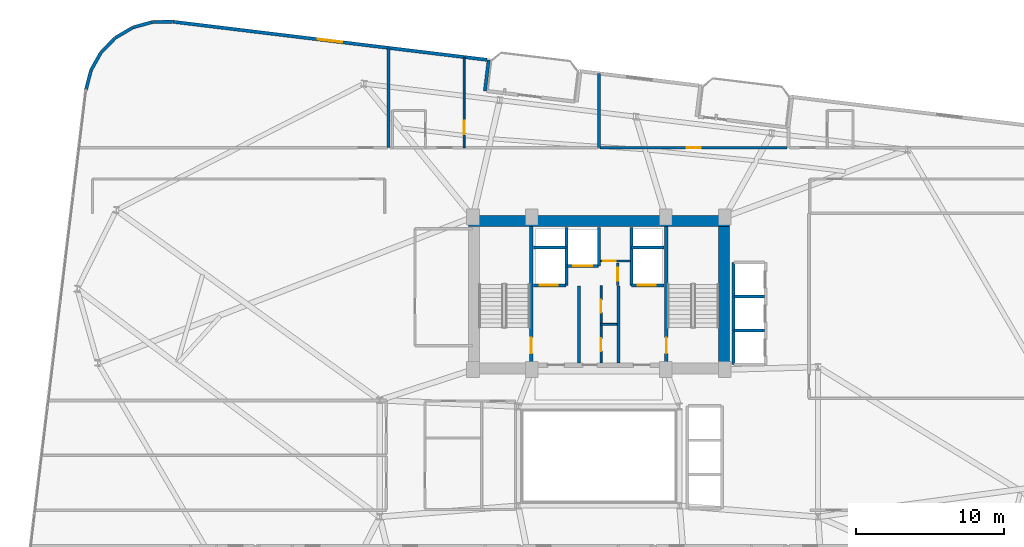
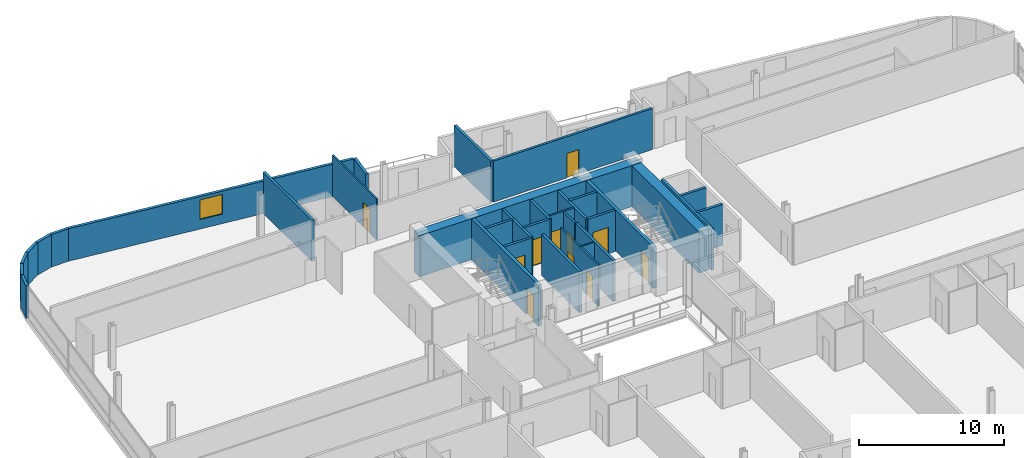
# One storey, part 22 of 26: 33 walls, 11 doors, 1 window, 12 openings.
"""IFC4 building model written with IfcOpenShell, lengths in metres."""

from ifc_helpers import new_model, si_unit, direction, frame, frame_2d, origin, place, context, subcontext, project, spatial, rectangle, extrude, material, layer, layer_set, type_object, element, fill, save


model = new_model("IFC4")

# Units and contexts
model_context = context("Model", 3, precision=1e-05, world=origin(), true_north=direction((0.0, 1.0)))
body_context = subcontext(model_context, "Body", "Model", "MODEL_VIEW")
ifc_project = project(units=[si_unit("LENGTHUNIT", "METRE"), si_unit("AREAUNIT", "SQUARE_METRE"), si_unit("VOLUMEUNIT", "CUBIC_METRE"), si_unit("PLANEANGLEUNIT", "RADIAN"), si_unit("MASSUNIT", "GRAM", prefix="KILO")], contexts=[model_context])

# Site, building, storey
site_placement = place(None, origin())
site = spatial("IfcSite", under=ifc_project, at=site_placement, CompositionType="ELEMENT")
building_placement = place(site_placement, origin())
building = spatial("IfcBuilding", under=site, at=building_placement, Name="Varnelok Gate Tower", CompositionType="ELEMENT")
storey_placement = place(building_placement, frame((0.0, 0.0, 151.300048828125)))
storey = spatial("IfcBuildingStorey", under=building, at=storey_placement, Name="L38", CompositionType="ELEMENT", Elevation=151.300048828125)

# Wall
ifc_material_1 = material(Name="Concrete C45/55", Category="concrete")
ifc_layer_1 = layer(ifc_material_1, 0.219970703125)
ifc_layer_set_1 = layer_set([ifc_layer_1], Name="Concrete C45/55")
wall_type_1 = type_object("IfcWallType", Name="EW-BALC-220", PredefinedType="SOLIDWALL", material=ifc_layer_set_1)
wall_1_placement = place(storey_placement, frame((31.50390625, 47.568115234375, 0.0), z_axis=(0.0, 0.0, 1.0), x_axis=(0.120341784665, 0.992732519294, 0.0)))
element("IfcWall", 1, at=wall_1_placement, inside=storey, type_object=wall_type_1, Name="L38 Perimeter Facade Closure Wall 31", PredefinedType="SOLIDWALL", context=body_context, shape_type="SweptSolid", body=[
    extrude(rectangle(XDim=2.099853515625, YDim=0.219970703125, at=frame_2d((1.0498046875, 0.0))), origin(), (0.0, 0.0, 1.0), 2.72998046875),
])

# Wall, opening, window
wall_2_placement = place(storey_placement, frame((31.632568359375, 49.667724609375, 0.0), z_axis=(0.0, 0.0, 1.0), x_axis=(-0.992731670483, 0.120348786531, 0.0)))
wall_2 = element("IfcWall", 2, at=wall_2_placement, inside=storey, type_object=wall_type_1, Name="L38 Perimeter Facade Closure Wall 32", PredefinedType="SOLIDWALL", context=body_context, shape_type="SweptSolid", body=[
    extrude(rectangle(XDim=21.34716796875, YDim=0.219970703125, at=frame_2d((10.673583984375, 0.0))), origin(), (0.0, 0.0, 1.0), 2.72998046875),
])
opening_1_placement = place(wall_2_placement, frame((9.8486328125, 0.0, 0.800048828125)))
opening_1 = element("IfcOpeningElement", 3, at=opening_1_placement, cuts=wall_2, Name="Opening WN3", PredefinedType="OPENING", context=body_context, shape_type="SweptSolid", body=[
    extrude(rectangle(XDim=1.64990234375, YDim=1.64990234375, at=frame_2d((0.824951171875, 0.824951171875))), frame((0.0, 0.119873046875, 0.0), z_axis=(0.0, -1.0, 0.0), x_axis=(1.0, 0.0, 0.0)), (0.0, 0.0, 1.0), 0.239990234375),
])
ifc_material_2 = material(Name="Low-E Laminated Double Glazing IGU", Category="glass")
window_type = type_object("IfcWindowType", Name="WN-HTL-1650", PartitioningType="SINGLE_PANEL", PredefinedType="WINDOW", material=ifc_material_2)
window_placement = place(opening_1_placement, origin())
window = element("IfcWindow", 4, at=window_placement, inside=storey, type_object=window_type, Name="L38 Perimeter Vision Window 32", OverallHeight=1.64990234375, OverallWidth=1.64990234375, PartitioningType="SINGLE_PANEL", PredefinedType="WINDOW", context=body_context, shape_type="SweptSolid", body=[
    extrude(rectangle(XDim=1.64990234375, YDim=1.64990234375, at=frame_2d((0.824951171875, 0.824951171875))), frame((0.0, 0.030029296875, 0.0), z_axis=(0.0, -1.0, 0.0), x_axis=(1.0, 0.0, 0.0)), (0.0, 0.0, 1.0), 0.06005859375),
])
fill(opening_1, window)

# Walls
wall_3_placement = place(storey_placement, frame((10.41552734375, 52.236572265625, 0.0), z_axis=(0.0, 0.0, 1.0), x_axis=(-0.999947718056, -0.010225514878, 0.0)))
element("IfcWall", 5, at=wall_3_placement, inside=storey, type_object=wall_type_1, Name="L38 Perimeter Facade Closure Wall 33", PredefinedType="SOLIDWALL", context=body_context, shape_type="SweptSolid", body=[
    extrude(rectangle(XDim=1.36083984375, YDim=0.219970703125, at=frame_2d((0.680419921875, 0.0))), origin(), (0.0, 0.0, 1.0), 2.72998046875),
])
for number, where, z_axis, x_axis, name in (
    (6, (9.030517578125, 52.2158203125, 0.0), (0.0, 0.0, 1.0), (-0.963227802828, -0.268686061898, 0.0), "L38 Perimeter Facade Closure Wall 34"),
    (7, (7.70556640625, 51.839599609375, 0.0), (0.0, 0.0, 1.0), (-0.860739665837, -0.509045408244, 0.0), "L38 Perimeter Facade Closure Wall 35"),
):
    element("IfcWall", number, at=place(storey_placement, frame(where, z_axis=z_axis, x_axis=x_axis)), inside=storey, type_object=wall_type_1, Name=name, PredefinedType="SOLIDWALL", context=body_context, shape_type="SweptSolid", body=[
        extrude(rectangle(XDim=1.35302734375, YDim=0.219970703125, at=frame_2d((0.676513671875, 0.0))), origin(), (0.0, 0.0, 1.0), 2.72998046875),
    ])
wall_4_placement = place(storey_placement, frame((6.5234375, 51.13330078125, 0.0), z_axis=(0.0, 0.0, 1.0), x_axis=(-0.699762925925, -0.714375144795, 0.0)))
element("IfcWall", 8, at=wall_4_placement, inside=storey, type_object=wall_type_1, Name="L38 Perimeter Facade Closure Wall 36", PredefinedType="SOLIDWALL", context=body_context, shape_type="SweptSolid", body=[
    extrude(rectangle(XDim=1.353271484375, YDim=0.219970703125, at=frame_2d((0.6767578125, 0.0))), origin(), (0.0, 0.0, 1.0), 2.72998046875),
])
wall_5_placement = place(storey_placement, frame((5.564208984375, 50.144775390625, 0.0), z_axis=(0.0, 0.0, 1.0), x_axis=(-0.491117621399, -0.871093268227, 0.0)))
element("IfcWall", 9, at=wall_5_placement, inside=storey, type_object=wall_type_1, Name="L38 Perimeter Facade Closure Wall 37", PredefinedType="SOLIDWALL", context=body_context, shape_type="SweptSolid", body=[
    extrude(rectangle(XDim=1.35302734375, YDim=0.219970703125, at=frame_2d((0.676513671875, 0.0))), origin(), (0.0, 0.0, 1.0), 2.72998046875),
])
wall_6_placement = place(storey_placement, frame((4.8935546875, 48.94189453125, 0.0), z_axis=(0.0, 0.0, 1.0), x_axis=(-0.248857256909, -0.968540172468, 0.0)))
element("IfcWall", 10, at=wall_6_placement, inside=storey, type_object=wall_type_1, Name="L38 Perimeter Facade Closure Wall 38", PredefinedType="SOLIDWALL", context=body_context, shape_type="SweptSolid", body=[
    extrude(rectangle(XDim=1.352783203125, YDim=0.219970703125, at=frame_2d((0.67626953125, 0.0))), origin(), (0.0, 0.0, 1.0), 2.72998046875),
])

# Wall, opening, door
ifc_material_3 = material(Name="Gypsum Plasterboard Acoustic Partition", Category="gypsum")
ifc_layer_2 = layer(ifc_material_3, 0.179931640625)
ifc_layer_set_2 = layer_set([ifc_layer_2], Name="Gypsum Plasterboard Acoustic Partition")
wall_type_2 = type_object("IfcWallType", Name="PW-CORR-180", PredefinedType="PARTITIONING", material=ifc_layer_set_2)
wall_7_placement = place(storey_placement, frame((39.280029296875, 43.72998046875, 0.0), z_axis=(0.0, 0.0, 1.0), x_axis=(1.0, 0.0, 0.0)))
wall_7 = element("IfcWall", 11, at=wall_7_placement, inside=storey, type_object=wall_type_2, Name="Interior Partition", PredefinedType="PARTITIONING", context=body_context, shape_type="SweptSolid", body=[
    extrude(rectangle(XDim=12.639892578125, YDim=0.179931640625, at=frame_2d((6.31982421875, 0.0))), origin(), (0.0, 0.0, 1.0), 3.449951171875),
])
opening_2_placement = place(wall_7_placement, frame((5.844970703125, 0.0, 0.0)))
opening_2 = element("IfcOpeningElement", 12, at=opening_2_placement, cuts=wall_7, Name="Opening D-I2", PredefinedType="OPENING", context=body_context, shape_type="SweptSolid", body=[
    extrude(rectangle(XDim=0.949951171875, YDim=2.050048828125, at=frame_2d((0.47509765625, 1.02490234375))), frame((0.0, 0.099853515625, 0.0), z_axis=(0.0, -1.0, 0.0), x_axis=(1.0, 0.0, 0.0)), (0.0, 0.0, 1.0), 0.199951171875),
])
ifc_material_4 = material(Name="Engineered Hardwood Timber", Category="wood")
door_type_1 = type_object("IfcDoorType", Name="DR-INT-950", OperationType="NOTDEFINED", PredefinedType="DOOR", material=ifc_material_4)
door_1_placement = place(opening_2_placement, origin())
door_1 = element("IfcDoor", 13, at=door_1_placement, inside=storey, type_object=door_type_1, Name="L38 Sky Library Door", OperationType="SINGLE_SWING_LEFT", OverallHeight=2.050048828125, OverallWidth=0.949951171875, PredefinedType="DOOR", context=body_context, shape_type="SweptSolid", body=[
    extrude(rectangle(XDim=0.949951171875, YDim=2.050048828125, at=frame_2d((0.47509765625, 1.02490234375))), frame((0.0, 0.02490234375, 0.0), z_axis=(0.0, -1.0, 0.0), x_axis=(1.0, 0.0, 0.0)), (0.0, 0.0, 1.0), 0.050048828125),
])
fill(opening_2, door_1)

ifc_layer_3 = layer(ifc_material_3, 0.125)
ifc_layer_set_3 = layer_set([ifc_layer_3], Name="Gypsum Plasterboard Acoustic Partition")
wall_type_3 = type_object("IfcWallType", Name="PW-PART-125", PredefinedType="PARTITIONING", material=ifc_layer_set_3)
wall_8_placement = place(storey_placement, frame((30.10009765625, 43.72998046875, 0.0), z_axis=(0.0, 0.0, 1.0), x_axis=(0.0, 1.0, 0.0)))
wall_8 = element("IfcWall", 14, at=wall_8_placement, inside=storey, type_object=wall_type_3, Name="Interior Partition", PredefinedType="PARTITIONING", context=body_context, shape_type="SweptSolid", body=[
    extrude(rectangle(XDim=6.103515625, YDim=0.125, at=frame_2d((3.0517578125, 0.0))), origin(), (0.0, 0.0, 1.0), 3.449951171875),
])
opening_3_placement = place(wall_8_placement, frame((0.89453125, 0.0, 0.0)))
opening_3 = element("IfcOpeningElement", 15, at=opening_3_placement, cuts=wall_8, Name="Opening D-I3", PredefinedType="OPENING", context=body_context, shape_type="SweptSolid", body=[
    extrude(rectangle(XDim=0.919921875, YDim=2.050048828125, at=frame_2d((0.4599609375, 1.02490234375))), frame((0.0, 0.072509765625, 0.0), z_axis=(0.0, -1.0, 0.0), x_axis=(1.0, 0.0, 0.0)), (0.0, 0.0, 1.0), 0.14501953125),
])
door_type_2 = type_object("IfcDoorType", Name="DR-INT-920", OperationType="NOTDEFINED", PredefinedType="DOOR", material=ifc_material_4)
door_2_placement = place(opening_3_placement, origin())
door_2 = element("IfcDoor", 16, at=door_2_placement, inside=storey, type_object=door_type_2, Name="L38 Suite Bedroom Door 9", OperationType="SINGLE_SWING_LEFT", OverallHeight=2.050048828125, OverallWidth=0.919921875, PredefinedType="DOOR", context=body_context, shape_type="SweptSolid", body=[
    extrude(rectangle(XDim=0.919921875, YDim=2.050048828125, at=frame_2d((0.4599609375, 1.02490234375))), frame((0.0, 0.02490234375, 0.0), z_axis=(0.0, -1.0, 0.0), x_axis=(1.0, 0.0, 0.0)), (0.0, 0.0, 1.0), 0.050048828125),
])
fill(opening_3, door_2)

# Wall
wall_9_placement = place(storey_placement, frame((39.35009765625, 31.800048828125, 0.0), z_axis=(0.0, 0.0, 1.0), x_axis=(1.0, 0.0, 0.0)))
element("IfcWall", 17, at=wall_9_placement, inside=storey, type_object=wall_type_3, Name="Interior Partition", PredefinedType="PARTITIONING", context=body_context, shape_type="SweptSolid", body=[
    extrude(rectangle(XDim=1.08984375, YDim=0.125, at=frame_2d((0.544921875, 0.0))), origin(), (0.0, 0.0, 1.0), 3.449951171875),
])

# Wall, openings, doors
wall_10_placement = place(storey_placement, frame((39.35009765625, 29.199951171875, 0.0), z_axis=(0.0, 0.0, 1.0), x_axis=(0.0, 1.0, 0.0)))
wall_10 = element("IfcWall", 18, at=wall_10_placement, inside=storey, type_object=wall_type_3, Name="Interior Partition", PredefinedType="PARTITIONING", context=body_context, shape_type="SweptSolid", body=[
    extrude(rectangle(XDim=5.219970703125, YDim=0.125, at=frame_2d((2.60986328125, 0.0))), origin(), (0.0, 0.0, 1.0), 3.449951171875),
])
opening_4_placement = place(wall_10_placement, frame((0.800048828125, 0.0, 0.0)))
opening_4 = element("IfcOpeningElement", 19, at=opening_4_placement, cuts=wall_10, Name="Opening D-RS", PredefinedType="OPENING", context=body_context, shape_type="SweptSolid", body=[
    extrude(rectangle(XDim=0.85009765625, YDim=2.050048828125, at=frame_2d((0.425048828125, 1.02490234375))), frame((0.0, 0.072509765625, 0.0), z_axis=(0.0, -1.0, 0.0), x_axis=(1.0, 0.0, 0.0)), (0.0, 0.0, 1.0), 0.14501953125),
])
opening_5_placement = place(wall_10_placement, frame((3.39990234375, 0.0, 0.0)))
opening_5 = element("IfcOpeningElement", 20, at=opening_5_placement, cuts=wall_10, Name="Opening D-RS", PredefinedType="OPENING", context=body_context, shape_type="SweptSolid", body=[
    extrude(rectangle(XDim=0.85009765625, YDim=2.050048828125, at=frame_2d((0.425048828125, 1.02490234375))), frame((0.0, 0.072509765625, 0.0), z_axis=(0.0, -1.0, 0.0), x_axis=(1.0, 0.0, 0.0)), (0.0, 0.0, 1.0), 0.14501953125),
])
ifc_material_5 = material(Name="Galvanized Steel Grade S350GD", Category="steel")
door_type_3 = type_object("IfcDoorType", Name="DR-RISER-850", OperationType="NOTDEFINED", PredefinedType="DOOR", material=ifc_material_5)
door_3_placement = place(opening_4_placement, origin())
door_3 = element("IfcDoor", 21, at=door_3_placement, inside=storey, type_object=door_type_3, Name="L38 Housekeeping Linen Door", OperationType="SINGLE_SWING_RIGHT", OverallHeight=2.050048828125, OverallWidth=0.85009765625, PredefinedType="DOOR", context=body_context, shape_type="SweptSolid", body=[
    extrude(rectangle(XDim=0.85009765625, YDim=2.050048828125, at=frame_2d((0.425048828125, 1.02490234375))), frame((0.0, 0.02490234375, 0.0), z_axis=(0.0, -1.0, 0.0), x_axis=(1.0, 0.0, 0.0)), (0.0, 0.0, 1.0), 0.050048828125),
])
fill(opening_4, door_3)
door_4_placement = place(opening_5_placement, origin())
door_4 = element("IfcDoor", 22, at=door_4_placement, inside=storey, type_object=door_type_3, Name="L38 Core Supply Door", OperationType="SINGLE_SWING_LEFT", OverallHeight=2.050048828125, OverallWidth=0.85009765625, PredefinedType="DOOR", context=body_context, shape_type="SweptSolid", body=[
    extrude(rectangle(XDim=0.85009765625, YDim=2.050048828125, at=frame_2d((0.425048828125, 1.02490234375))), frame((0.0, 0.02490234375, 0.0), z_axis=(0.0, -1.0, 0.0), x_axis=(1.0, 0.0, 0.0)), (0.0, 0.0, 1.0), 0.050048828125),
])
fill(opening_5, door_4)

# Wall, opening, door
ifc_layer_4 = layer(ifc_material_3, 0.14990234375)
ifc_layer_set_4 = layer_set([ifc_layer_4], Name="Gypsum Plasterboard Acoustic Partition")
wall_type_4 = type_object("IfcWallType", Name="PW-PART-150", PredefinedType="PARTITIONING", material=ifc_layer_set_4)
wall_11_placement = place(storey_placement, frame((39.300048828125, 36.080078125, 0.0), z_axis=(0.0, 0.0, 1.0), x_axis=(1.0, 0.0, 0.0)))
wall_11 = element("IfcWall", 23, at=wall_11_placement, inside=storey, type_object=wall_type_4, Name="L38 Electrical Closet South Wall", PredefinedType="PARTITIONING", context=body_context, shape_type="SweptSolid", body=[
    extrude(rectangle(XDim=2.02001953125, YDim=0.14990234375, at=frame_2d((1.010009765625, 0.0))), origin(), (0.0, 0.0, 1.0), 3.449951171875),
])
opening_6_placement = place(wall_11_placement, frame((0.179931640625, 0.0, 0.0)))
opening_6 = element("IfcOpeningElement", 24, at=opening_6_placement, cuts=wall_11, Name="Opening D-RS", PredefinedType="OPENING", context=body_context, shape_type="SweptSolid", body=[
    extrude(rectangle(XDim=0.85009765625, YDim=2.050048828125, at=frame_2d((0.425048828125, 1.02490234375))), frame((0.0, 0.0849609375, 0.0), z_axis=(0.0, -1.0, 0.0), x_axis=(1.0, 0.0, 0.0)), (0.0, 0.0, 1.0), 0.169921875),
])
door_5_placement = place(opening_6_placement, origin())
door_5 = element("IfcDoor", 25, at=door_5_placement, inside=storey, type_object=door_type_3, Name="L38 Electrical Closet Door", OperationType="SINGLE_SWING_RIGHT", OverallHeight=2.050048828125, OverallWidth=0.85009765625, PredefinedType="DOOR", context=body_context, shape_type="SweptSolid", body=[
    extrude(rectangle(XDim=0.85009765625, YDim=2.050048828125, at=frame_2d((0.425048828125, 1.02490234375))), frame((0.0, 0.02490234375, 0.0), z_axis=(0.0, -1.0, 0.0), x_axis=(1.0, 0.0, 0.0)), (0.0, 0.0, 1.0), 0.050048828125),
])
fill(opening_6, door_5)

wall_12_placement = place(storey_placement, frame((40.47998046875, 34.43994140625, 0.0), z_axis=(0.0, 0.0, 1.0), x_axis=(0.0, 1.0, 0.0)))
wall_12 = element("IfcWall", 26, at=wall_12_placement, inside=storey, type_object=wall_type_4, Name="L38 Telecoms Closet West Wall", PredefinedType="PARTITIONING", context=body_context, shape_type="SweptSolid", body=[
    extrude(rectangle(XDim=1.52001953125, YDim=0.14990234375, at=frame_2d((0.760009765625, 0.0))), origin(), (0.0, 0.0, 1.0), 3.449951171875),
])
opening_7_placement = place(wall_12_placement, frame((0.320068359375, 0.0, 0.0)))
opening_7 = element("IfcOpeningElement", 27, at=opening_7_placement, cuts=wall_12, Name="Opening D-RS", PredefinedType="OPENING", context=body_context, shape_type="SweptSolid", body=[
    extrude(rectangle(XDim=0.85009765625, YDim=2.050048828125, at=frame_2d((0.425048828125, 1.02490234375))), frame((0.0, 0.0849609375, 0.0), z_axis=(0.0, -1.0, 0.0), x_axis=(1.0, 0.0, 0.0)), (0.0, 0.0, 1.0), 0.169921875),
])
door_6_placement = place(opening_7_placement, origin())
door_6 = element("IfcDoor", 28, at=door_6_placement, inside=storey, type_object=door_type_3, Name="L38 Telecoms Closet Door", OperationType="SINGLE_SWING_LEFT", OverallHeight=2.050048828125, OverallWidth=0.85009765625, PredefinedType="DOOR", context=body_context, shape_type="SweptSolid", body=[
    extrude(rectangle(XDim=0.85009765625, YDim=2.050048828125, at=frame_2d((0.425048828125, 1.02490234375))), frame((0.0, 0.02490234375, 0.0), z_axis=(0.0, -1.0, 0.0), x_axis=(1.0, 0.0, 0.0)), (0.0, 0.0, 1.0), 0.050048828125),
])
fill(opening_7, door_6)

# Walls
ifc_layer_5 = layer(ifc_material_3, 0.205078125)
ifc_layer_set_5 = layer_set([ifc_layer_5], Name="Gypsum Plasterboard Acoustic Partition")
wall_type_5 = type_object("IfcWallType", Name="PW-PARTY-200", PredefinedType="PARTITIONING", material=ifc_layer_set_5)
wall_13_placement = place(storey_placement, frame((25.0, 43.72998046875, 0.0), z_axis=(0.0, 0.0, 1.0), x_axis=(0.0, 1.0, 0.0)))
element("IfcWall", 29, at=wall_13_placement, inside=storey, type_object=wall_type_5, Name="L38 North Party Wall 1", PredefinedType="PARTITIONING", context=body_context, shape_type="SweptSolid", body=[
    extrude(rectangle(XDim=6.7216796875, YDim=0.205078125, at=frame_2d((3.36083984375, 0.0))), origin(), (0.0, 0.0, 1.0), 3.449951171875),
])
wall_14_placement = place(storey_placement, frame((39.199951171875, 43.72998046875, 0.0), z_axis=(0.0, 0.0, 1.0), x_axis=(0.0, 1.0, 0.0)))
element("IfcWall", 30, at=wall_14_placement, inside=storey, type_object=wall_type_5, Name="L38 North Party Wall 2", PredefinedType="PARTITIONING", context=body_context, shape_type="SweptSolid", body=[
    extrude(rectangle(XDim=5.000244140625, YDim=0.205078125, at=frame_2d((2.5, 0.0))), origin(), (0.0, 0.0, 1.0), 3.449951171875),
])
ifc_material_6 = material(Name="Concrete C35/45", Category="concrete")
ifc_layer_6 = layer(ifc_material_6, 0.199951171875)
ifc_layer_set_6 = layer_set([ifc_layer_6], Name="Concrete C35/45")
wall_type_6 = type_object("IfcWallType", Name="PW-SHAFT-200", PredefinedType="PARTITIONING", material=ifc_layer_set_6)
for number, where, z_axis, x_axis, name in (
    (31, (37.860107421875, 29.199951171875, 0.0), (0.0, 0.0, 1.0), (0.0, 1.0, 0.0), "L38 West FF Lobby Rated Wall"),
    (32, (40.5400390625, 29.199951171875, 0.0), (0.0, 0.0, 1.0), (0.0, 1.0, 0.0), "L38 East FF Lobby Rated Wall"),
):
    element("IfcWall", number, at=place(storey_placement, frame(where, z_axis=z_axis, x_axis=x_axis)), inside=storey, type_object=wall_type_6, Name=name, PredefinedType="PARTITIONING", context=body_context, shape_type="SweptSolid", body=[
        extrude(rectangle(XDim=5.179931640625, YDim=0.199951171875, at=frame_2d((2.58984375, 0.0))), origin(), (0.0, 0.0, 1.0), 3.449951171875),
    ])

# Wall, opening, door
wall_15_placement = place(storey_placement, frame((34.800048828125, 34.43994140625, 0.0), z_axis=(0.0, 0.0, 1.0), x_axis=(1.0, 0.0, 0.0)))
wall_15 = element("IfcWall", 33, at=wall_15_placement, inside=storey, type_object=wall_type_6, Name="L38 FF1 Shaft Front Wall", PredefinedType="PARTITIONING", context=body_context, shape_type="SweptSolid", body=[
    extrude(rectangle(XDim=2.179931640625, YDim=0.199951171875, at=frame_2d((1.08984375, 0.0))), origin(), (0.0, 0.0, 1.0), 3.449951171875),
])
opening_8_placement = place(wall_15_placement, frame((0.419921875, 0.0, 0.0)))
opening_8 = element("IfcOpeningElement", 34, at=opening_8_placement, cuts=wall_15, Name="Opening LD-FF1", PredefinedType="OPENING", context=body_context, shape_type="SweptSolid", body=[
    extrude(rectangle(XDim=1.199951171875, YDim=2.199951171875, at=frame_2d((0.60009765625, 1.10009765625))), frame((0.0, 0.10986328125, 0.0), z_axis=(0.0, -1.0, 0.0), x_axis=(1.0, 0.0, 0.0)), (0.0, 0.0, 1.0), 0.219970703125),
])
door_type_4 = type_object("IfcDoorType", Name="DR-LIFT-FF1200", OperationType="SLIDING_TO_LEFT", PredefinedType="DOOR", material=ifc_material_5)
door_7_placement = place(opening_8_placement, origin())
door_7 = element("IfcDoor", 35, at=door_7_placement, inside=storey, type_object=door_type_4, Name="L38 Firefighting Lift Landing Door LD-FF1", OperationType="SLIDING_TO_LEFT", OverallHeight=2.199951171875, OverallWidth=1.199951171875, PredefinedType="DOOR", context=body_context, shape_type="SweptSolid", body=[
    extrude(rectangle(XDim=1.199951171875, YDim=2.199951171875, at=frame_2d((0.60009765625, 1.10009765625))), frame((0.0, 0.02490234375, 0.0), z_axis=(0.0, -1.0, 0.0), x_axis=(1.0, 0.0, 0.0)), (0.0, 0.0, 1.0), 0.050048828125),
])
fill(opening_8, door_7)

# Walls
wall_16_placement = place(storey_placement, frame((34.800048828125, 36.97998046875, 0.0), z_axis=(0.0, 0.0, 1.0), x_axis=(1.0, 0.0, 0.0)))
element("IfcWall", 36, at=wall_16_placement, inside=storey, type_object=wall_type_6, Name="L38 FF1 Shaft North Wall", PredefinedType="PARTITIONING", context=body_context, shape_type="SweptSolid", body=[
    extrude(rectangle(XDim=2.179931640625, YDim=0.199951171875, at=frame_2d((1.08984375, 0.0))), origin(), (0.0, 0.0, 1.0), 3.449951171875),
])
wall_17_placement = place(storey_placement, frame((37.0, 34.43994140625, 0.0), z_axis=(0.0, 0.0, 1.0), x_axis=(0.0, 1.0, 0.0)))
element("IfcWall", 37, at=wall_17_placement, inside=storey, type_object=wall_type_6, Name="L38 FF1 Shaft Side Wall", PredefinedType="PARTITIONING", context=body_context, shape_type="SweptSolid", body=[
    extrude(rectangle(XDim=3.900146484375, YDim=0.199951171875, at=frame_2d((1.9501953125, 0.0))), origin(), (0.0, 0.0, 1.0), 3.449951171875),
])

# Wall, opening, door
wall_18_placement = place(storey_placement, frame((41.419921875, 34.43994140625, 0.0), z_axis=(0.0, 0.0, 1.0), x_axis=(1.0, 0.0, 0.0)))
wall_18 = element("IfcWall", 38, at=wall_18_placement, inside=storey, type_object=wall_type_6, Name="L38 FF2 Shaft Front Wall", PredefinedType="PARTITIONING", context=body_context, shape_type="SweptSolid", body=[
    extrude(rectangle(XDim=2.18017578125, YDim=0.199951171875, at=frame_2d((1.090087890625, 0.0))), origin(), (0.0, 0.0, 1.0), 3.449951171875),
])
opening_9_placement = place(wall_18_placement, frame((0.419921875, 0.0, 0.0)))
opening_9 = element("IfcOpeningElement", 39, at=opening_9_placement, cuts=wall_18, Name="Opening LD-FF2", PredefinedType="OPENING", context=body_context, shape_type="SweptSolid", body=[
    extrude(rectangle(XDim=1.199951171875, YDim=2.199951171875, at=frame_2d((0.60009765625, 1.10009765625))), frame((0.0, 0.10986328125, 0.0), z_axis=(0.0, -1.0, 0.0), x_axis=(1.0, 0.0, 0.0)), (0.0, 0.0, 1.0), 0.219970703125),
])
door_8_placement = place(opening_9_placement, origin())
door_8 = element("IfcDoor", 40, at=door_8_placement, inside=storey, type_object=door_type_4, Name="L38 Firefighting Lift Landing Door LD-FF2", OperationType="SLIDING_TO_LEFT", OverallHeight=2.199951171875, OverallWidth=1.199951171875, PredefinedType="DOOR", context=body_context, shape_type="SweptSolid", body=[
    extrude(rectangle(XDim=1.199951171875, YDim=2.199951171875, at=frame_2d((0.60009765625, 1.10009765625))), frame((0.0, 0.02490234375, 0.0), z_axis=(0.0, -1.0, 0.0), x_axis=(1.0, 0.0, 0.0)), (0.0, 0.0, 1.0), 0.050048828125),
])
fill(opening_9, door_8)

# Walls
wall_19_placement = place(storey_placement, frame((41.419921875, 36.97998046875, 0.0), z_axis=(0.0, 0.0, 1.0), x_axis=(1.0, 0.0, 0.0)))
element("IfcWall", 41, at=wall_19_placement, inside=storey, type_object=wall_type_6, Name="L38 FF2 Shaft North Wall", PredefinedType="PARTITIONING", context=body_context, shape_type="SweptSolid", body=[
    extrude(rectangle(XDim=2.18017578125, YDim=0.199951171875, at=frame_2d((1.090087890625, 0.0))), origin(), (0.0, 0.0, 1.0), 3.449951171875),
])
wall_20_placement = place(storey_placement, frame((41.39990234375, 34.43994140625, 0.0), z_axis=(0.0, 0.0, 1.0), x_axis=(0.0, 1.0, 0.0)))
element("IfcWall", 42, at=wall_20_placement, inside=storey, type_object=wall_type_6, Name="L38 FF2 Shaft Side Wall", PredefinedType="PARTITIONING", context=body_context, shape_type="SweptSolid", body=[
    extrude(rectangle(XDim=3.900146484375, YDim=0.199951171875, at=frame_2d((1.9501953125, 0.0))), origin(), (0.0, 0.0, 1.0), 3.449951171875),
])

# Wall, opening, door
wall_21_placement = place(storey_placement, frame((37.06005859375, 35.75, 0.0), z_axis=(0.0, 0.0, 1.0), x_axis=(1.0, 0.0, 0.0)))
wall_21 = element("IfcWall", 43, at=wall_21_placement, inside=storey, type_object=wall_type_6, Name="L38 SV1 Shaft Front Wall", PredefinedType="PARTITIONING", context=body_context, shape_type="SweptSolid", body=[
    extrude(rectangle(XDim=2.119873046875, YDim=0.199951171875, at=frame_2d((1.06005859375, 0.0))), origin(), (0.0, 0.0, 1.0), 3.449951171875),
])
opening_10_placement = place(wall_21_placement, frame((0.39990234375, 0.0, 0.0)))
opening_10 = element("IfcOpeningElement", 44, at=opening_10_placement, cuts=wall_21, Name="Opening LD-SV1", PredefinedType="OPENING", context=body_context, shape_type="SweptSolid", body=[
    extrude(rectangle(XDim=1.300048828125, YDim=2.199951171875, at=frame_2d((0.64990234375, 1.10009765625))), frame((0.0, 0.10986328125, 0.0), z_axis=(0.0, -1.0, 0.0), x_axis=(1.0, 0.0, 0.0)), (0.0, 0.0, 1.0), 0.219970703125),
])
door_type_5 = type_object("IfcDoorType", Name="DR-LIFT-SV1300", OperationType="SLIDING_TO_LEFT", PredefinedType="DOOR", material=ifc_material_5)
door_9_placement = place(opening_10_placement, origin())
door_9 = element("IfcDoor", 45, at=door_9_placement, inside=storey, type_object=door_type_5, Name="L38 Service Lift Landing Door LD-SV1", OperationType="SLIDING_TO_LEFT", OverallHeight=2.199951171875, OverallWidth=1.300048828125, PredefinedType="DOOR", context=body_context, shape_type="SweptSolid", body=[
    extrude(rectangle(XDim=1.300048828125, YDim=2.199951171875, at=frame_2d((0.64990234375, 1.10009765625))), frame((0.0, 0.02490234375, 0.0), z_axis=(0.0, -1.0, 0.0), x_axis=(1.0, 0.0, 0.0)), (0.0, 0.0, 1.0), 0.050048828125),
])
fill(opening_10, door_9)

# Walls
wall_22_placement = place(storey_placement, frame((39.219970703125, 35.75, 0.0), z_axis=(0.0, 0.0, 1.0), x_axis=(0.0, 1.0, 0.0)))
element("IfcWall", 46, at=wall_22_placement, inside=storey, type_object=wall_type_6, Name="L38 SV1 Shaft East Wall", PredefinedType="PARTITIONING", context=body_context, shape_type="SweptSolid", body=[
    extrude(rectangle(XDim=2.590087890625, YDim=0.199951171875, at=frame_2d((1.294921875, 0.0))), origin(), (0.0, 0.0, 1.0), 3.449951171875),
])
for number, where, z_axis, x_axis, name in (
    (47, (48.320068359375, 31.375, 0.0), (0.0, 0.0, 1.0), (1.0, 0.0, 0.0), "L38 PM1 Divider"),
    (48, (48.320068359375, 33.675048828125, 0.0), (0.0, 0.0, 1.0), (1.0, 0.0, 0.0), "L38 PM2 Divider"),
):
    element("IfcWall", number, at=place(storey_placement, frame(where, z_axis=z_axis, x_axis=x_axis)), inside=storey, type_object=wall_type_6, Name=name, PredefinedType="PARTITIONING", context=body_context, shape_type="SweptSolid", body=[
        extrude(rectangle(XDim=2.059814453125, YDim=0.199951171875, at=frame_2d((1.02978515625, 0.0))), origin(), (0.0, 0.0, 1.0), 3.449951171875),
    ])
wall_23_placement = place(storey_placement, frame((48.280029296875, 29.080078125, 0.0), z_axis=(0.0, 0.0, 1.0), x_axis=(0.0, 1.0, 0.0)))
element("IfcWall", 49, at=wall_23_placement, inside=storey, type_object=wall_type_6, Name="L38 PM Bank Back Wall", PredefinedType="PARTITIONING", context=body_context, shape_type="SweptSolid", body=[
    extrude(rectangle(XDim=6.889892578125, YDim=0.199951171875, at=frame_2d((3.44482421875, 0.0))), origin(), (0.0, 0.0, 1.0), 3.449951171875),
])
ifc_material_7 = material(Name="Concrete C70/85", Category="concrete")
ifc_layer_7 = layer(ifc_material_7, 0.75)
ifc_layer_set_7 = layer_set([ifc_layer_7], Name="Concrete C70/85")
wall_type_7 = type_object("IfcWallType", Name="SW-CORE-750", PredefinedType="SHEAR", material=ifc_layer_set_7)
wall_24_placement = place(storey_placement, frame((30.3798828125, 38.794921875, 0.0), z_axis=(0.0, 0.0, 1.0), x_axis=(1.0, 0.0, 0.0)))
element("IfcWall", 50, at=wall_24_placement, inside=storey, type_object=wall_type_7, Name="L38 Rear Core North Shear Wall", PredefinedType="SHEAR", context=body_context, shape_type="SweptSolid", body=[
    extrude(rectangle(XDim=17.64013671875, YDim=0.75, at=frame_2d((8.820068359375, 0.0))), origin(), (0.0, 0.0, 1.0), 3.449951171875),
])
wall_25_placement = place(storey_placement, frame((47.64501953125, 29.199951171875, 0.0), z_axis=(0.0, 0.0, 1.0), x_axis=(0.0, 1.0, 0.0)))
element("IfcWall", 51, at=wall_25_placement, inside=storey, type_object=wall_type_7, Name="L38 Rear Core East Shear Wall", PredefinedType="SHEAR", context=body_context, shape_type="SweptSolid", body=[
    extrude(rectangle(XDim=9.219970703125, YDim=0.75, at=frame_2d((4.60986328125, 0.0))), origin(), (0.0, 0.0, 1.0), 3.449951171875),
])

# Wall, opening, door
ifc_material_8 = material(Name="Concrete C60/75", Category="concrete")
ifc_layer_8 = layer(ifc_material_8, 0.25)
ifc_layer_set_8 = layer_set([ifc_layer_8], Name="Concrete C60/75")
wall_type_8 = type_object("IfcWallType", Name="SW-SHAFT-250", PredefinedType="SHEAR", material=ifc_layer_set_8)
wall_26_placement = place(storey_placement, frame((34.639892578125, 29.199951171875, 0.0), z_axis=(0.0, 0.0, 1.0), x_axis=(0.0, 1.0, 0.0)))
wall_26 = element("IfcWall", 52, at=wall_26_placement, inside=storey, type_object=wall_type_8, Name="L38 Stair ST-1 East Shear Wall", PredefinedType="SHEAR", context=body_context, shape_type="SweptSolid", body=[
    extrude(rectangle(XDim=9.219970703125, YDim=0.25, at=frame_2d((4.60986328125, 0.0))), origin(), (0.0, 0.0, 1.0), 3.449951171875),
])
opening_11_placement = place(wall_26_placement, frame((0.64990234375, 0.0, 0.0)))
opening_11 = element("IfcOpeningElement", 53, at=opening_11_placement, cuts=wall_26, Name="Opening D-ST", PredefinedType="OPENING", context=body_context, shape_type="SweptSolid", body=[
    extrude(rectangle(XDim=1.050048828125, YDim=2.14990234375, at=frame_2d((0.52490234375, 1.074951171875))), frame((0.0, 0.135009765625, 0.0), z_axis=(0.0, -1.0, 0.0), x_axis=(1.0, 0.0, 0.0)), (0.0, 0.0, 1.0), 0.27001953125),
])
door_type_6 = type_object("IfcDoorType", Name="DR-STAIR-1050", OperationType="NOTDEFINED", PredefinedType="DOOR", material=ifc_material_5)
door_10_placement = place(opening_11_placement, origin())
door_10 = element("IfcDoor", 54, at=door_10_placement, inside=storey, type_object=door_type_6, Name="L38 Exit Stair ST-1 Fire Door", OperationType="SINGLE_SWING_LEFT", OverallHeight=2.14990234375, OverallWidth=1.050048828125, PredefinedType="DOOR", context=body_context, shape_type="SweptSolid", body=[
    extrude(rectangle(XDim=1.050048828125, YDim=2.14990234375, at=frame_2d((0.52490234375, 1.074951171875))), frame((0.0, 0.02490234375, 0.0), z_axis=(0.0, -1.0, 0.0), x_axis=(1.0, 0.0, 0.0)), (0.0, 0.0, 1.0), 0.050048828125),
])
fill(opening_11, door_10)

wall_27_placement = place(storey_placement, frame((43.760009765625, 29.199951171875, 0.0), z_axis=(0.0, 0.0, 1.0), x_axis=(0.0, 1.0, 0.0)))
wall_27 = element("IfcWall", 55, at=wall_27_placement, inside=storey, type_object=wall_type_8, Name="L38 Stair ST-2 West Shear Wall", PredefinedType="SHEAR", context=body_context, shape_type="SweptSolid", body=[
    extrude(rectangle(XDim=9.219970703125, YDim=0.25, at=frame_2d((4.60986328125, 0.0))), origin(), (0.0, 0.0, 1.0), 3.449951171875),
])
opening_12_placement = place(wall_27_placement, frame((0.64990234375, 0.0, 0.0)))
opening_12 = element("IfcOpeningElement", 56, at=opening_12_placement, cuts=wall_27, Name="Opening D-ST", PredefinedType="OPENING", context=body_context, shape_type="SweptSolid", body=[
    extrude(rectangle(XDim=1.050048828125, YDim=2.14990234375, at=frame_2d((0.52490234375, 1.074951171875))), frame((0.0, 0.135009765625, 0.0), z_axis=(0.0, -1.0, 0.0), x_axis=(1.0, 0.0, 0.0)), (0.0, 0.0, 1.0), 0.27001953125),
])
door_11_placement = place(opening_12_placement, origin())
door_11 = element("IfcDoor", 57, at=door_11_placement, inside=storey, type_object=door_type_6, Name="L38 Exit Stair ST-2 Fire Door", OperationType="SINGLE_SWING_RIGHT", OverallHeight=2.14990234375, OverallWidth=1.050048828125, PredefinedType="DOOR", context=body_context, shape_type="SweptSolid", body=[
    extrude(rectangle(XDim=1.050048828125, YDim=2.14990234375, at=frame_2d((0.52490234375, 1.074951171875))), frame((0.0, 0.02490234375, 0.0), z_axis=(0.0, -1.0, 0.0), x_axis=(1.0, 0.0, 0.0)), (0.0, 0.0, 1.0), 0.050048828125),
])
fill(opening_12, door_11)

save(model, "model.ifc")
